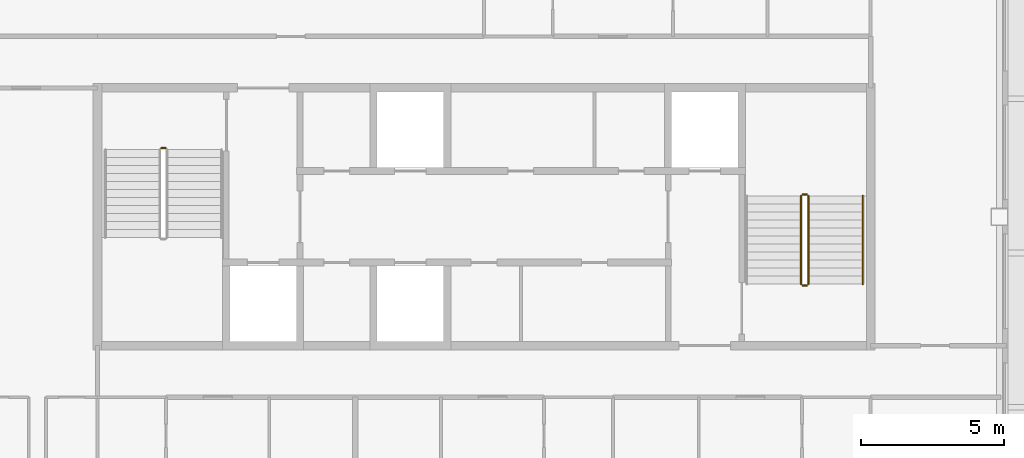
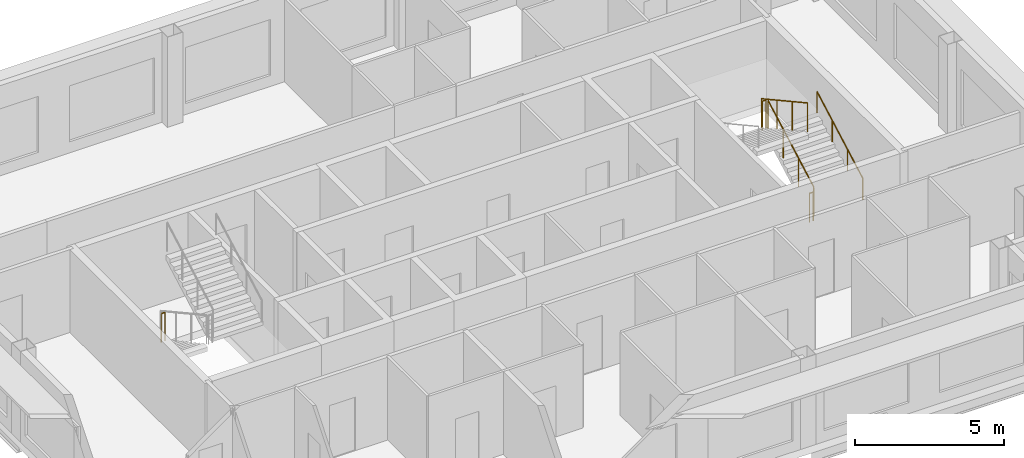
# One storey, part 10 of 10: 6 railings.
"""IFC4 building model written with IfcOpenShell, lengths in metres."""

from ifc_helpers import new_model, si_unit, direction, frame, origin, origin_2d, place, context, subcontext, project, spatial, circle, extrude, material, type_object, element, save


model = new_model("IFC4")

# Units and contexts
model_context = context("Model", 3, precision=1e-05, world=origin(), true_north=direction((0.0, 1.0)))
body_context = subcontext(model_context, "Body", "Model", "MODEL_VIEW")
ifc_project = project(units=[si_unit("LENGTHUNIT", "METRE"), si_unit("AREAUNIT", "SQUARE_METRE"), si_unit("VOLUMEUNIT", "CUBIC_METRE"), si_unit("PLANEANGLEUNIT", "RADIAN"), si_unit("MASSUNIT", "GRAM", prefix="KILO")], contexts=[model_context])

# Site, building, storey
site_placement = place(None, origin())
site = spatial("IfcSite", under=ifc_project, at=site_placement, CompositionType="ELEMENT")
building_placement = place(site_placement, origin())
building = spatial("IfcBuilding", under=site, at=building_placement, Name="Caravel Reach Hotel and Residences", CompositionType="ELEMENT")
storey_placement = place(building_placement, frame((0.0, 0.0, 290.800048828125)))
storey = spatial("IfcBuildingStorey", under=building, at=storey_placement, Name="L74", CompositionType="ELEMENT", Elevation=290.800048828125)

# Railings
ifc_material_1 = material(Name="Steel balustrade with glass infill", Category="steel")
railing_type_1 = type_object("IfcRailingType", Name="Guard 1200", PredefinedType="GUARDRAIL", material=ifc_material_1)
railing_1_placement = place(storey_placement, frame((20.22509765625, 29.39990234375, 0.0)))
element("IfcRailing", 1, at=railing_1_placement, inside=storey, type_object=railing_type_1, Name="L74 ST-A stair guard 4", PredefinedType="GUARDRAIL", context=body_context, shape_type="SweptSolid", body=[
    extrude(circle(Radius=0.02392578125, at=origin_2d()), frame((0.0, 0.0, 1.17578125), z_axis=(1.0, 0.0, 0.0), x_axis=(0.0, 1.0, 0.0)), (0.0, 0.0, 1.0), 0.14990234375),
    extrude(circle(Radius=0.02099609375, at=origin_2d()), origin(), (0.0, 0.0, 1.0), 1.15185546875),
    extrude(circle(Radius=0.02099609375, at=origin_2d()), frame((0.14990234375, 0.0, 0.0)), (0.0, 0.0, 1.0), 1.15185546875),
])
railing_2_placement = place(storey_placement, frame((42.824951171875, 24.64990234375, 0.154052734375)))
element("IfcRailing", 2, at=railing_2_placement, inside=storey, type_object=railing_type_1, Name="L74 ST-B stair guard 1", PredefinedType="GUARDRAIL", context=body_context, shape_type="SweptSolid", body=[
    extrude(circle(Radius=0.02392578125, at=origin_2d()), frame((0.0, 0.0, 1.17578125), z_axis=(0.0, 0.876004717809, 0.482302534076), x_axis=(-1.0, 0.0, 0.0)), (0.0, 0.0, 1.0), 3.51611328125),
    extrude(circle(Radius=0.02099609375, at=origin_2d()), origin(), (0.0, 0.0, 1.0), 1.15185546875),
    extrude(circle(Radius=0.02099609375, at=origin_2d()), frame((0.0, 1.026611328125, 0.565185546875)), (0.0, 0.0, 1.0), 1.15185546875),
    extrude(circle(Radius=0.02099609375, at=origin_2d()), frame((0.0, 2.053466796875, 1.130615234375)), (0.0, 0.0, 1.0), 1.15185546875),
    extrude(circle(Radius=0.02099609375, at=origin_2d()), frame((0.0, 3.080078125, 1.69580078125)), (0.0, 0.0, 1.0), 1.15185546875),
])
railing_3_placement = place(storey_placement, frame((42.77490234375, 27.780029296875, 1.849853515625)))
element("IfcRailing", 3, at=railing_3_placement, inside=storey, type_object=railing_type_1, Name="L74 ST-B stair guard 2", PredefinedType="GUARDRAIL", context=body_context, shape_type="SweptSolid", body=[
    extrude(circle(Radius=0.02392578125, at=origin_2d()), frame((0.0, 0.0, 1.17578125), z_axis=(-1.0, 0.0, 0.0), x_axis=(0.0, -1.0, 0.0)), (0.0, 0.0, 1.0), 0.14990234375),
    extrude(circle(Radius=0.02099609375, at=origin_2d()), origin(), (0.0, 0.0, 1.0), 1.15185546875),
    extrude(circle(Radius=0.02099609375, at=origin_2d()), frame((-0.14990234375, 0.0, 0.0)), (0.0, 0.0, 1.0), 1.15185546875),
])
railing_4_placement = place(storey_placement, frame((42.574951171875, 27.72998046875, 2.004150390625)))
element("IfcRailing", 4, at=railing_4_placement, inside=storey, type_object=railing_type_1, Name="L74 ST-B stair guard 3", PredefinedType="GUARDRAIL", context=body_context, shape_type="SweptSolid", body=[
    extrude(circle(Radius=0.02392578125, at=origin_2d()), frame((0.0, 0.0, 1.17578125), z_axis=(0.0, -0.876004717809, 0.482302534076), x_axis=(1.0, 0.0, 0.0)), (0.0, 0.0, 1.0), 3.51611328125),
    extrude(circle(Radius=0.02099609375, at=origin_2d()), origin(), (0.0, 0.0, 1.0), 1.15185546875),
    extrude(circle(Radius=0.02099609375, at=origin_2d()), frame((0.0, -1.026611328125, 0.565185546875)), (0.0, 0.0, 1.0), 1.15185546875),
    extrude(circle(Radius=0.02099609375, at=origin_2d()), frame((0.0, -2.053466796875, 1.130615234375)), (0.0, 0.0, 1.0), 1.15185546875),
    extrude(circle(Radius=0.02099609375, at=origin_2d()), frame((0.0, -3.080078125, 1.69580078125)), (0.0, 0.0, 1.0), 1.15185546875),
])
railing_5_placement = place(storey_placement, frame((42.77490234375, 24.60009765625, 0.0)))
element("IfcRailing", 5, at=railing_5_placement, inside=storey, type_object=railing_type_1, Name="L74 ST-B stair guard 4", PredefinedType="GUARDRAIL", context=body_context, shape_type="SweptSolid", body=[
    extrude(circle(Radius=0.02392578125, at=origin_2d()), frame((0.0, 0.0, 1.17578125), z_axis=(-1.0, 0.0, 0.0), x_axis=(0.0, -1.0, 0.0)), (0.0, 0.0, 1.0), 0.14990234375),
    extrude(circle(Radius=0.02099609375, at=origin_2d()), origin(), (0.0, 0.0, 1.0), 1.15185546875),
    extrude(circle(Radius=0.02099609375, at=origin_2d()), frame((-0.14990234375, 0.0, 0.0)), (0.0, 0.0, 1.0), 1.15185546875),
])
ifc_material_2 = material(Name="Stainless steel handrail", Category="steel")
railing_type_2 = type_object("IfcRailingType", Name="Handrail 900", PredefinedType="HANDRAIL", material=ifc_material_2)
railing_6_placement = place(storey_placement, frame((44.72509765625, 24.64990234375, 0.154052734375)))
element("IfcRailing", 6, at=railing_6_placement, inside=storey, type_object=railing_type_2, Name="L74 ST-B stair handrail 1", PredefinedType="HANDRAIL", context=body_context, shape_type="SweptSolid", body=[
    extrude(circle(Radius=0.02392578125, at=origin_2d()), frame((0.0, 0.0, 0.8759765625), z_axis=(0.0, 0.876004717809, 0.482302534076), x_axis=(-1.0, 0.0, 0.0)), (0.0, 0.0, 1.0), 3.51611328125),
    extrude(circle(Radius=0.02099609375, at=origin_2d()), origin(), (0.0, 0.0, 1.0), 0.851806640625),
    extrude(circle(Radius=0.02099609375, at=origin_2d()), frame((0.0, 1.026611328125, 0.565185546875)), (0.0, 0.0, 1.0), 0.851806640625),
    extrude(circle(Radius=0.02099609375, at=origin_2d()), frame((0.0, 2.053466796875, 1.130615234375)), (0.0, 0.0, 1.0), 0.851806640625),
    extrude(circle(Radius=0.02099609375, at=origin_2d()), frame((0.0, 3.080078125, 1.69580078125)), (0.0, 0.0, 1.0), 0.851806640625),
])

save(model, "model.ifc")
